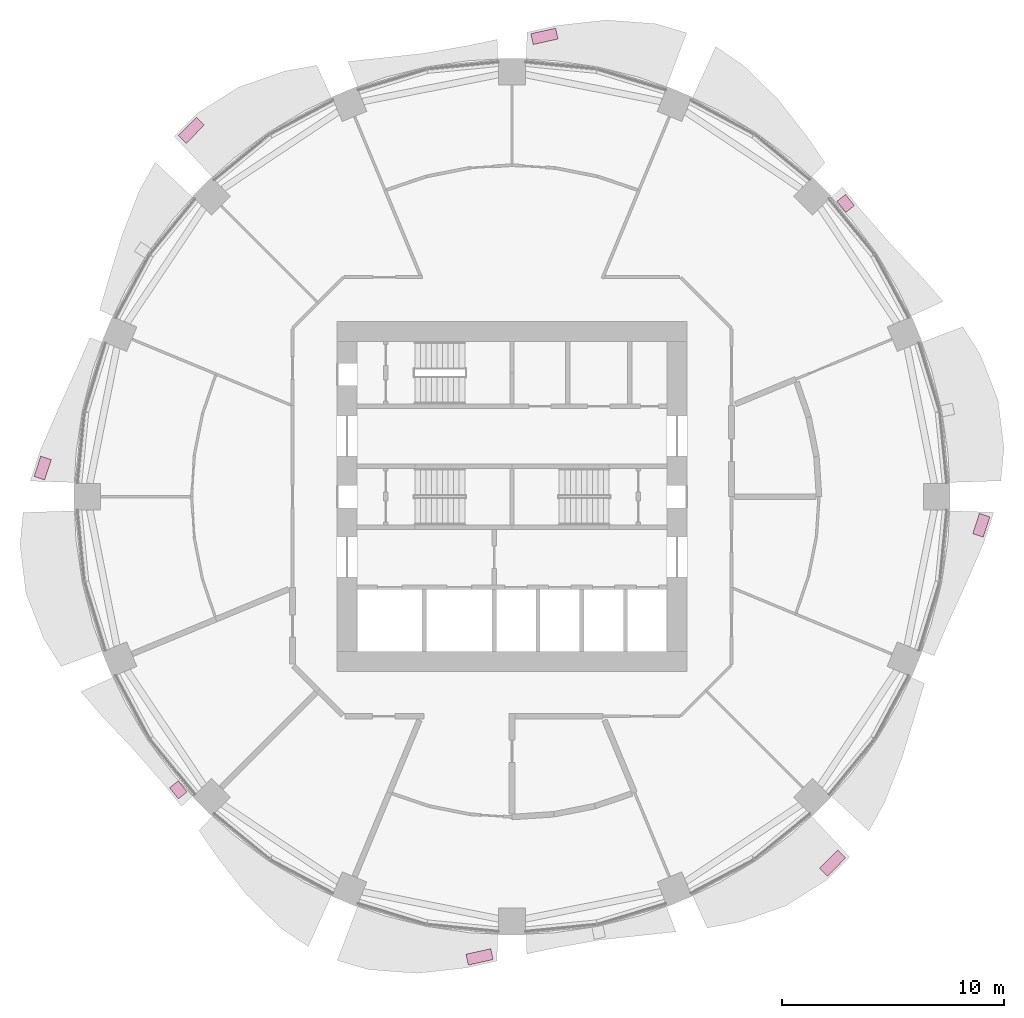
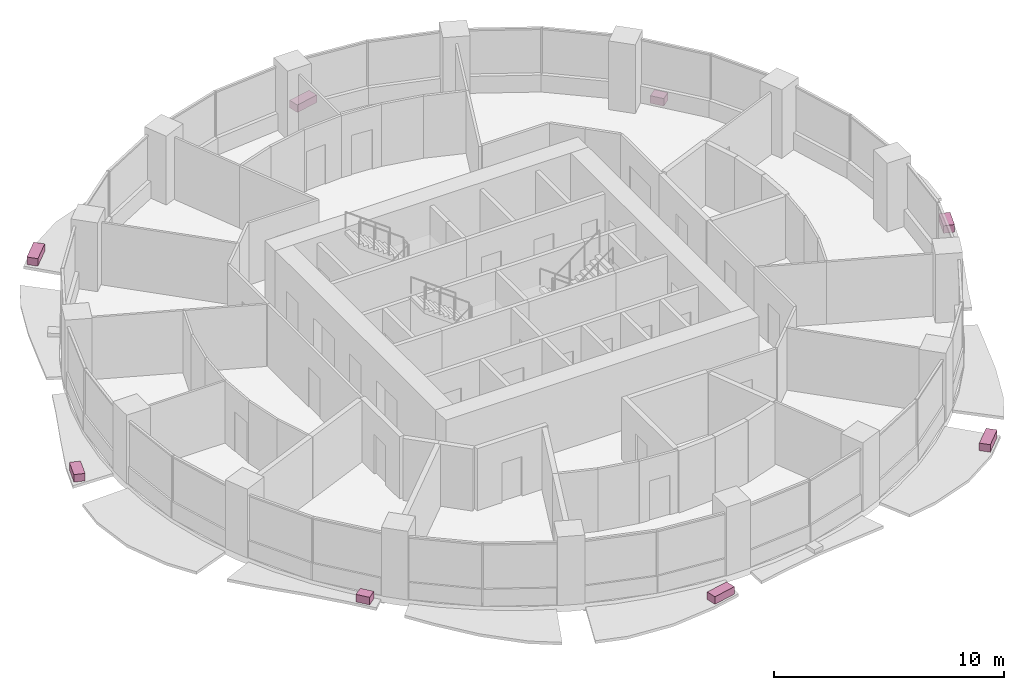
# One storey, part 15 of 15: 8 furniture elements.
"""IFC4 building model written with IfcOpenShell, lengths in metres."""

from ifc_helpers import new_model, si_unit, direction, frame, origin, origin_2d, place, context, subcontext, project, spatial, rectangle, extrude, material, type_object, element, save


model = new_model("IFC4")

# Units and contexts
model_context = context("Model", 3, precision=1e-05, world=origin(), true_north=direction((0.0, 1.0)))
body_context = subcontext(model_context, "Body", "Model", "MODEL_VIEW")
ifc_project = project(units=[si_unit("LENGTHUNIT", "METRE"), si_unit("AREAUNIT", "SQUARE_METRE"), si_unit("VOLUMEUNIT", "CUBIC_METRE"), si_unit("PLANEANGLEUNIT", "RADIAN"), si_unit("MASSUNIT", "GRAM", prefix="KILO")], contexts=[model_context])

# Site, building, storey
site_placement = place(None, origin())
site = spatial("IfcSite", under=ifc_project, at=site_placement, CompositionType="ELEMENT")
building_placement = place(site_placement, origin())
building = spatial("IfcBuilding", under=site, at=building_placement, Name="Polderwave Tower", CompositionType="ELEMENT")
storey_placement = place(building_placement, frame((0.0, 0.0, 44.449951171875)))
storey = spatial("IfcBuildingStorey", under=building, at=storey_placement, Name="L11", CompositionType="ELEMENT", Elevation=44.449951171875)

# Furniture
ifc_material = material(Name="Terracotta", Category="masonry")
furniture_type = type_object("IfcFurnitureType", Name="Terracotta planting trough", AssemblyPlace="NOTDEFINED", PredefinedType="USERDEFINED", material=ifc_material)
furniture_1_placement = place(storey_placement, frame((15.0078125, 13.1875, -0.199951171875), z_axis=(0.0, 0.0, 1.0), x_axis=(-0.625908499361, 0.779896499817, 0.0)))
element("IfcFurniture", 1, at=furniture_1_placement, inside=storey, type_object=furniture_type, Name="Planting trough L11 2", ObjectType="PLANTER", PredefinedType="USERDEFINED", context=body_context, shape_type="SweptSolid", body=[
    extrude(rectangle(XDim=0.638916015625, YDim=0.5, at=origin_2d()), origin(), (0.0, 0.0, 1.0), 0.39990234375),
])
furniture_2_placement = place(storey_placement, frame((1.45849609375, 20.701904296875, -0.199951171875), z_axis=(0.0, 0.0, 1.0), x_axis=(-0.976226070927, -0.216754834876, 0.0)))
element("IfcFurniture", 2, at=furniture_2_placement, inside=storey, type_object=furniture_type, Name="Planting trough L11 4", ObjectType="PLANTER", PredefinedType="USERDEFINED", context=body_context, shape_type="SweptSolid", body=[
    extrude(rectangle(XDim=1.145263671875, YDim=0.5, at=origin_2d()), origin(), (0.0, 0.0, 1.0), 0.39990234375),
])
furniture_3_placement = place(storey_placement, frame((-14.422119140625, 16.478759765625, -0.199951171875), z_axis=(0.0, 0.0, 1.0), x_axis=(-0.704740707398, -0.709464964136, 0.0)))
element("IfcFurniture", 3, at=furniture_3_placement, inside=storey, type_object=furniture_type, Name="Planting trough L11 6", ObjectType="PLANTER", PredefinedType="USERDEFINED", context=body_context, shape_type="SweptSolid", body=[
    extrude(rectangle(XDim=1.167236328125, YDim=0.5, at=origin_2d()), origin(), (0.0, 0.0, 1.0), 0.39990234375),
])
furniture_4_placement = place(storey_placement, frame((-21.109130859375, 1.287109375, -0.199951171875), z_axis=(0.0, 0.0, 1.0), x_axis=(-0.311167441172, -0.950355103924, 0.0)))
element("IfcFurniture", 4, at=furniture_4_placement, inside=storey, type_object=furniture_type, Name="Planting trough L11 8", ObjectType="PLANTER", PredefinedType="USERDEFINED", context=body_context, shape_type="SweptSolid", body=[
    extrude(rectangle(XDim=0.95947265625, YDim=0.5, at=origin_2d()), origin(), (0.0, 0.0, 1.0), 0.39990234375),
])
furniture_5_placement = place(storey_placement, frame((-15.0078125, -13.1875, -0.199951171875), z_axis=(0.0, 0.0, 1.0), x_axis=(0.625908499361, -0.779896499817, 0.0)))
element("IfcFurniture", 5, at=furniture_5_placement, inside=storey, type_object=furniture_type, Name="Planting trough L11 10", ObjectType="PLANTER", PredefinedType="USERDEFINED", context=body_context, shape_type="SweptSolid", body=[
    extrude(rectangle(XDim=0.638916015625, YDim=0.5, at=origin_2d()), origin(), (0.0, 0.0, 1.0), 0.39990234375),
])
furniture_6_placement = place(storey_placement, frame((-1.45849609375, -20.701904296875, -0.199951171875), z_axis=(0.0, 0.0, 1.0), x_axis=(0.976226070927, 0.216754834876, 0.0)))
element("IfcFurniture", 6, at=furniture_6_placement, inside=storey, type_object=furniture_type, Name="Planting trough L11 12", ObjectType="PLANTER", PredefinedType="USERDEFINED", context=body_context, shape_type="SweptSolid", body=[
    extrude(rectangle(XDim=1.145263671875, YDim=0.5, at=origin_2d()), origin(), (0.0, 0.0, 1.0), 0.39990234375),
])
furniture_7_placement = place(storey_placement, frame((14.422119140625, -16.478759765625, -0.199951171875), z_axis=(0.0, 0.0, 1.0), x_axis=(0.704740707398, 0.709464964136, 0.0)))
element("IfcFurniture", 7, at=furniture_7_placement, inside=storey, type_object=furniture_type, Name="Planting trough L11 14", ObjectType="PLANTER", PredefinedType="USERDEFINED", context=body_context, shape_type="SweptSolid", body=[
    extrude(rectangle(XDim=1.167236328125, YDim=0.5, at=origin_2d()), origin(), (0.0, 0.0, 1.0), 0.39990234375),
])
furniture_8_placement = place(storey_placement, frame((21.109130859375, -1.287109375, -0.199951171875), z_axis=(0.0, 0.0, 1.0), x_axis=(0.311167441172, 0.950355103924, 0.0)))
element("IfcFurniture", 8, at=furniture_8_placement, inside=storey, type_object=furniture_type, Name="Planting trough L11 16", ObjectType="PLANTER", PredefinedType="USERDEFINED", context=body_context, shape_type="SweptSolid", body=[
    extrude(rectangle(XDim=0.95947265625, YDim=0.5, at=origin_2d()), origin(), (0.0, 0.0, 1.0), 0.39990234375),
])

save(model, "model.ifc")
